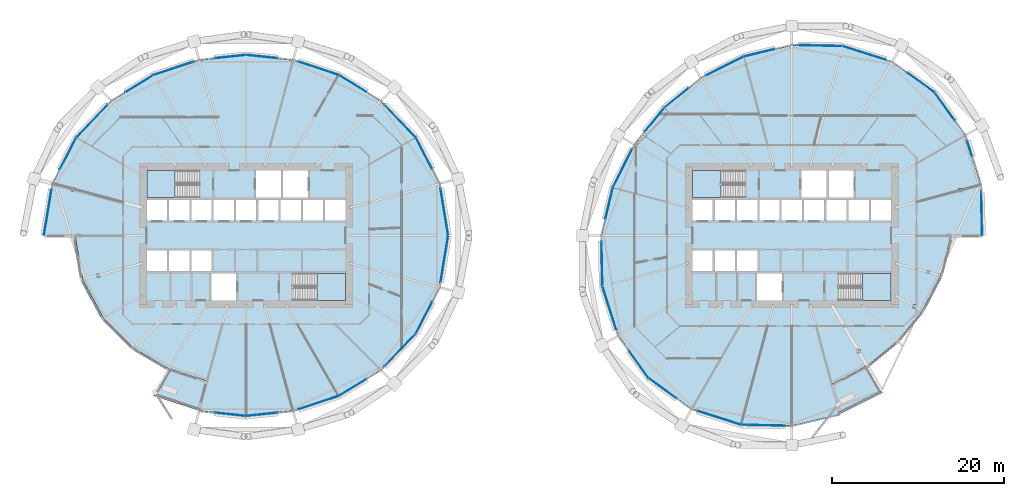
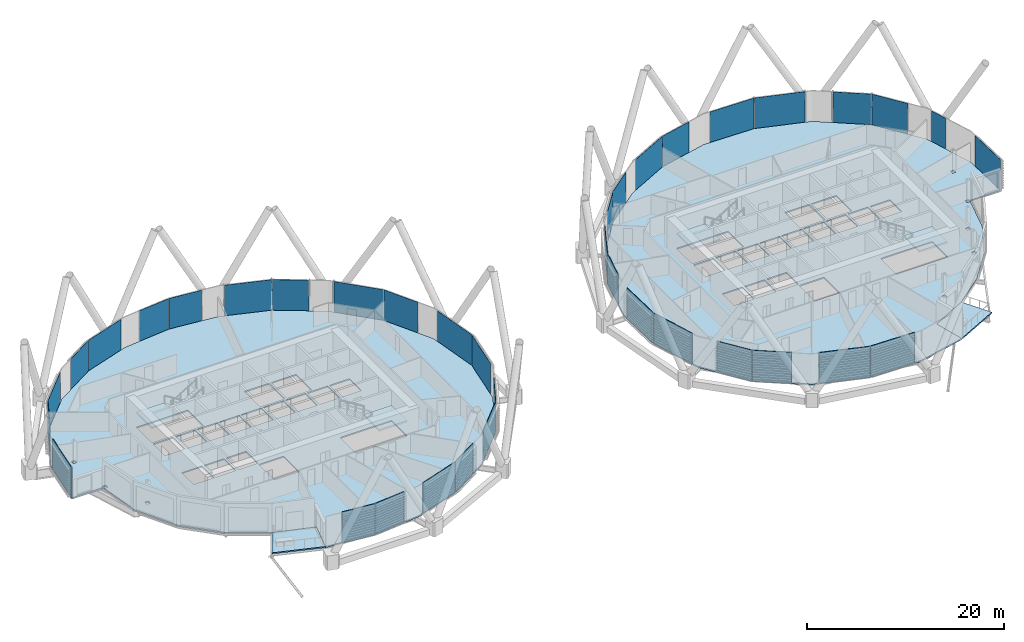
# One storey, part 19 of 36: 37 plates, 8 slabs, 6 elements without a shape of their own.
"""IFC4 building model written with IfcOpenShell, lengths in metres."""

from ifc_helpers import new_model, si_unit, direction, frame, origin, origin_2d, place, context, subcontext, project, spatial, polyline, rectangle, outline, extrude, material, layer, layer_set, type_object, element, aggregate, save


model = new_model("IFC4")

# Units and contexts
model_context = context("Model", 3, precision=1e-05, world=origin(), true_north=direction((0.0, 1.0)))
body_context = subcontext(model_context, "Body", "Model", "MODEL_VIEW")
ifc_project = project(units=[si_unit("LENGTHUNIT", "METRE"), si_unit("AREAUNIT", "SQUARE_METRE"), si_unit("VOLUMEUNIT", "CUBIC_METRE"), si_unit("PLANEANGLEUNIT", "RADIAN"), si_unit("MASSUNIT", "GRAM", prefix="KILO")], contexts=[model_context])

# Site, building, storey
site_placement = place(None, origin())
site = spatial("IfcSite", under=ifc_project, at=site_placement, CompositionType="ELEMENT")
building_placement = place(site_placement, origin())
building = spatial("IfcBuilding", under=site, at=building_placement, Name="Rimbun Link Towers", CompositionType="ELEMENT")
storey_placement = place(building_placement, frame((0.0, 0.0, 64.199951171875)))
storey = spatial("IfcBuildingStorey", under=building, at=storey_placement, Name="L15", CompositionType="ELEMENT", Elevation=64.199951171875)

# Slabs
ifc_material_1 = material(Name="Concrete C35/45", Category="concrete")
ifc_layer_1 = layer(ifc_material_1, 0.159912109375)
ifc_layer_set_1 = layer_set([ifc_layer_1], Name="COMPOSITE FLOOR 160")
slab_type_1 = type_object("IfcSlabType", Name="COMPOSITE FLOOR 160", PredefinedType="FLOOR", material=ifc_layer_set_1)
slab_1_placement = place(storey_placement, frame((0.0, 0.0, -0.159912109375)))
element("IfcSlab", 1, at=slab_1_placement, inside=storey, type_object=slab_type_1, Name="Floor slab T1 L15", PredefinedType="FLOOR", context=body_context, shape_type="SweptSolid", body=[
    extrude(outline(polyline([(-54.252685546875, 6.029541015625), (-51.47900390625, 11.390380859375), (-47.397705078125, 15.647705078125), (-42.514892578125, 18.6455078125), (-37.216552734375, 20.4013671875), (-31.75, 20.97705078125), (-26.283447265625, 20.4013671875), (-20.985107421875, 18.6455078125), (-16.102294921875, 15.647705078125), (-12.02099609375, 11.390380859375), (-9.247314453125, 6.029541015625), (-8.255615234375, 0.0), (-9.247314453125, -6.029541015625), (-12.02099609375, -11.390380859375), (-16.102294921875, -15.647705078125), (-20.985107421875, -18.6455078125), (-26.283447265625, -20.4013671875), (-31.75, -20.97705078125), (-37.216552734375, -20.4013671875), (-36.284912109375, -16.924072265625), (-40.715087890625, -15.52783203125), (-44.85205078125, -13.10205078125), (-48.361083984375, -9.590576171875), (-50.775390625, -5.097900390625), (-51.644287109375, 0.0), (-55.244384765625, 0.0), (-54.252685546875, 6.029541015625)]), holes=[polyline([(-48.775390625, -4.812255859375), (-48.775390625, -4.418701171875), (-49.17431640625, -4.418701171875), (-49.17431640625, -4.812255859375), (-48.775390625, -4.812255859375)]), polyline([(-40.95556640625, -4.14990234375), (-40.95556640625, -1.75), (-43.300048828125, -1.75), (-43.300048828125, -4.14990234375), (-40.95556640625, -4.14990234375)]), polyline([(-38.361083984375, -4.14990234375), (-38.361083984375, -1.75), (-40.70556640625, -1.75), (-40.70556640625, -4.14990234375), (-38.361083984375, -4.14990234375)]), polyline([(-38.111083984375, -4.14990234375), (-35.7666015625, -4.14990234375), (-35.7666015625, -1.75), (-38.111083984375, -1.75), (-38.111083984375, -4.14990234375)]), polyline([(-51.50341796875, -0.19677734375), (-51.104248046875, -0.19677734375), (-51.104248046875, 0.19677734375), (-51.50341796875, 0.19677734375), (-51.50341796875, -0.19677734375)]), polyline([(-40.95556640625, 1.75), (-40.95556640625, 4.14990234375), (-43.300048828125, 4.14990234375), (-43.300048828125, 1.75), (-40.95556640625, 1.75)]), polyline([(-38.361083984375, 1.75), (-38.361083984375, 4.14990234375), (-40.70556640625, 4.14990234375), (-40.70556640625, 1.75), (-38.361083984375, 1.75)]), polyline([(-35.7666015625, 1.75), (-35.7666015625, 4.14990234375), (-38.111083984375, 4.14990234375), (-38.111083984375, 1.75), (-35.7666015625, 1.75)]), polyline([(-52.065185546875, 5.193115234375), (-51.666259765625, 5.193115234375), (-51.666259765625, 5.5869140625), (-52.065185546875, 5.5869140625), (-52.065185546875, 5.193115234375)]), polyline([(-43.300048828125, 4.39990234375), (-37.260009765625, 4.39990234375), (-37.260009765625, 7.550048828125), (-43.300048828125, 7.550048828125), (-43.300048828125, 4.39990234375)]), polyline([(-32.89990234375, -7.550048828125), (-32.89990234375, -4.39990234375), (-35.800048828125, -4.39990234375), (-35.800048828125, -7.550048828125), (-32.89990234375, -7.550048828125)]), polyline([(-20.199951171875, -7.550048828125), (-20.199951171875, -4.39990234375), (-26.239990234375, -4.39990234375), (-26.239990234375, -7.550048828125), (-20.199951171875, -7.550048828125)]), polyline([(-33.172119140625, 1.75), (-33.172119140625, 4.14990234375), (-35.5166015625, 4.14990234375), (-35.5166015625, 1.75), (-33.172119140625, 1.75)]), polyline([(-32.922119140625, 1.75), (-30.577880859375, 1.75), (-30.577880859375, 4.14990234375), (-32.922119140625, 4.14990234375), (-32.922119140625, 1.75)]), polyline([(-30.327880859375, 1.75), (-27.9833984375, 1.75), (-27.9833984375, 4.14990234375), (-30.327880859375, 4.14990234375), (-30.327880859375, 1.75)]), polyline([(-25.388916015625, 1.75), (-25.388916015625, 4.14990234375), (-27.7333984375, 4.14990234375), (-27.7333984375, 1.75), (-25.388916015625, 1.75)]), polyline([(-22.79443359375, 1.75), (-22.79443359375, 4.14990234375), (-25.138916015625, 4.14990234375), (-25.138916015625, 1.75), (-22.79443359375, 1.75)]), polyline([(-20.199951171875, 1.75), (-20.199951171875, 4.14990234375), (-22.54443359375, 4.14990234375), (-22.54443359375, 1.75), (-20.199951171875, 1.75)]), polyline([(-30.60009765625, 4.39990234375), (-27.699951171875, 4.39990234375), (-27.699951171875, 7.550048828125), (-30.60009765625, 7.550048828125), (-30.60009765625, 4.39990234375)]), polyline([(-27.449951171875, 4.39990234375), (-24.550048828125, 4.39990234375), (-24.550048828125, 7.550048828125), (-27.449951171875, 7.550048828125), (-27.449951171875, 4.39990234375)])]), origin(), (0.0, 0.0, 1.0), 0.159912109375),
])
slab_2_placement = place(storey_placement, frame((0.0, 0.0, -0.159912109375)))
element("IfcSlab", 2, at=slab_2_placement, inside=storey, type_object=slab_type_1, Name="Floor slab T2 L15", PredefinedType="FLOOR", context=body_context, shape_type="SweptSolid", body=[
    extrude(outline(polyline([(31.75, -22.12890625), (25.853759765625, -22.0048828125), (20.101806640625, -20.175537109375), (15.136962890625, -16.613037109375), (11.574462890625, -11.648193359375), (9.7451171875, -5.896240234375), (9.62109375, 0.0), (10.95361328125, 5.572509765625), (13.458740234375, 10.560546875), (16.9169921875, 14.8330078125), (21.189453125, 18.291259765625), (26.177490234375, 20.79638671875), (31.75, 22.12890625), (37.646240234375, 22.0048828125), (43.398193359375, 20.175537109375), (48.363037109375, 16.613037109375), (51.925537109375, 11.648193359375), (53.7548828125, 5.896240234375), (53.87890625, 0.0), (50.279052734375, 0.0), (49.069091796875, -4.640625), (46.923583984375, -8.760498046875), (44.037353515625, -12.287353515625), (40.510498046875, -15.173583984375), (36.390625, -17.319091796875), (37.322509765625, -20.79638671875), (31.75, -22.12890625)]), holes=[polyline([(30.60009765625, -7.550048828125), (30.60009765625, -4.39990234375), (27.699951171875, -4.39990234375), (27.699951171875, -7.550048828125), (30.60009765625, -7.550048828125)]), polyline([(22.54443359375, -4.14990234375), (22.54443359375, -1.75), (20.199951171875, -1.75), (20.199951171875, -4.14990234375), (22.54443359375, -4.14990234375)]), polyline([(25.138916015625, -4.14990234375), (25.138916015625, -1.75), (22.79443359375, -1.75), (22.79443359375, -4.14990234375), (25.138916015625, -4.14990234375)]), polyline([(25.388916015625, -4.14990234375), (27.7333984375, -4.14990234375), (27.7333984375, -1.75), (25.388916015625, -1.75), (25.388916015625, -4.14990234375)]), polyline([(20.199951171875, 1.75), (22.54443359375, 1.75), (22.54443359375, 4.14990234375), (20.199951171875, 4.14990234375), (20.199951171875, 1.75)]), polyline([(25.138916015625, 1.75), (25.138916015625, 4.14990234375), (22.79443359375, 4.14990234375), (22.79443359375, 1.75), (25.138916015625, 1.75)]), polyline([(25.388916015625, 1.75), (27.7333984375, 1.75), (27.7333984375, 4.14990234375), (25.388916015625, 4.14990234375), (25.388916015625, 1.75)]), polyline([(27.9833984375, 1.75), (30.327880859375, 1.75), (30.327880859375, 4.14990234375), (27.9833984375, 4.14990234375), (27.9833984375, 1.75)]), polyline([(32.922119140625, 1.75), (32.922119140625, 4.14990234375), (30.577880859375, 4.14990234375), (30.577880859375, 1.75), (32.922119140625, 1.75)]), polyline([(33.172119140625, 1.75), (35.5166015625, 1.75), (35.5166015625, 4.14990234375), (33.172119140625, 4.14990234375), (33.172119140625, 1.75)]), polyline([(20.199951171875, 4.39990234375), (26.239990234375, 4.39990234375), (26.239990234375, 7.550048828125), (20.199951171875, 7.550048828125), (20.199951171875, 4.39990234375)]), polyline([(39.718994140625, -13.65380859375), (39.718994140625, -13.260009765625), (39.31982421875, -13.260009765625), (39.31982421875, -13.65380859375), (39.718994140625, -13.65380859375)]), polyline([(46.206298828125, -8.427978515625), (46.206298828125, -8.034423828125), (45.807373046875, -8.034423828125), (45.807373046875, -8.427978515625), (46.206298828125, -8.427978515625)]), polyline([(43.300048828125, -7.550048828125), (43.300048828125, -4.39990234375), (37.260009765625, -4.39990234375), (37.260009765625, -7.550048828125), (43.300048828125, -7.550048828125)]), polyline([(47.410400390625, -4.446533203125), (47.8095703125, -4.446533203125), (47.8095703125, -4.052978515625), (47.410400390625, -4.052978515625), (47.410400390625, -4.446533203125)]), polyline([(49.82666015625, -0.19677734375), (50.2255859375, -0.19677734375), (50.2255859375, 0.19677734375), (49.82666015625, 0.19677734375), (49.82666015625, -0.19677734375)]), polyline([(38.111083984375, 1.75), (38.111083984375, 4.14990234375), (35.7666015625, 4.14990234375), (35.7666015625, 1.75), (38.111083984375, 1.75)]), polyline([(38.361083984375, 1.75), (40.70556640625, 1.75), (40.70556640625, 4.14990234375), (38.361083984375, 4.14990234375), (38.361083984375, 1.75)]), polyline([(40.95556640625, 1.75), (43.300048828125, 1.75), (43.300048828125, 4.14990234375), (40.95556640625, 4.14990234375), (40.95556640625, 1.75)]), polyline([(51.56591796875, 5.059326171875), (51.56591796875, 5.452880859375), (51.166748046875, 5.452880859375), (51.166748046875, 5.059326171875), (51.56591796875, 5.059326171875)]), polyline([(32.89990234375, 4.39990234375), (35.800048828125, 4.39990234375), (35.800048828125, 7.550048828125), (32.89990234375, 7.550048828125), (32.89990234375, 4.39990234375)]), polyline([(36.050048828125, 4.39990234375), (38.949951171875, 4.39990234375), (38.949951171875, 7.550048828125), (36.050048828125, 7.550048828125), (36.050048828125, 4.39990234375)])]), origin(), (0.0, 0.0, 1.0), 0.159912109375),
])

# Curtain wall, plates
ifc_material_2 = material(Name="Aluminium 6063-T6 and low-iron glass", Category="aluminium")
curtain_wall_type = type_object("IfcCurtainWallType", Name="CW1 unitised vision wall", PredefinedType="NOTDEFINED", material=ifc_material_2)
curtain_wall_1_placement = place(storey_placement, origin())
curtain_wall_1 = element("IfcCurtainWall", 3, at=curtain_wall_1_placement, inside=storey, type_object=curtain_wall_type, Name="CW1 L15 T1", PredefinedType="NOTDEFINED")
ifc_material_3 = material(Name="Low-iron glass, laminated low-e unit", Category="glass")
ifc_layer_2 = layer(ifc_material_3, 0.028076171875)
ifc_layer_set_2 = layer_set([ifc_layer_2], Name="CW1 panel Low-iron glass 28")
plate_type = type_object("IfcPlateType", Name="CW1 panel Low-iron glass 28", PredefinedType="CURTAIN_PANEL", material=ifc_layer_set_2)
plate_1_placement = place(storey_placement, frame((-8.68896484375, 2.720947265625, 0.0), z_axis=(0.0, 0.0, 1.0), x_axis=(0.162259642251, -0.986748097792, 0.0)))
plate_1 = element("IfcPlate", 4, at=plate_1_placement, type_object=plate_type, Name="CW1 panel", PredefinedType="CURTAIN_PANEL", context=body_context, shape_type="SweptSolid", body=[
    extrude(rectangle(XDim=5.470458984375, YDim=0.028076171875, at=origin_2d()), origin(), (0.0, 0.0, 1.0), 3.800048828125),
])
plate_2_placement = place(storey_placement, frame((-11.058349609375, 9.560302734375, 0.0), z_axis=(0.0, 0.0, 1.0), x_axis=(0.45955632125, -0.888148629228, 0.0)))
plate_2 = element("IfcPlate", 5, at=plate_2_placement, type_object=plate_type, Name="CW1 panel", PredefinedType="CURTAIN_PANEL", context=body_context, shape_type="SweptSolid", body=[
    extrude(rectangle(XDim=4.095947265625, YDim=0.028076171875, at=origin_2d()), origin(), (0.0, 0.0, 1.0), 3.800048828125),
])
plate_3_placement = place(storey_placement, frame((-13.843994140625, 13.312255859375, 0.0), z_axis=(0.0, 0.0, 1.0), x_axis=(0.692044930546, -0.721854427226, 0.0)))
plate_3 = element("IfcPlate", 6, at=plate_3_placement, type_object=plate_type, Name="CW1 panel", PredefinedType="CURTAIN_PANEL", context=body_context, shape_type="SweptSolid", body=[
    extrude(rectangle(XDim=5.257568359375, YDim=0.028076171875, at=origin_2d()), origin(), (0.0, 0.0, 1.0), 3.800048828125),
])
plate_4_placement = place(storey_placement, frame((-19.345947265625, 17.655517578125, 0.0), z_axis=(0.0, 0.0, 1.0), x_axis=(0.852185835011, -0.523239240316, 0.0)))
plate_4 = element("IfcPlate", 7, at=plate_4_placement, type_object=plate_type, Name="CW1 panel", PredefinedType="CURTAIN_PANEL", context=body_context, shape_type="SweptSolid", body=[
    extrude(rectangle(XDim=3.78955078125, YDim=0.028076171875, at=origin_2d()), origin(), (0.0, 0.0, 1.0), 3.800048828125),
])
plate_5_placement = place(storey_placement, frame((-23.344970703125, 19.4423828125, 0.0), z_axis=(0.0, 0.0, 1.0), x_axis=(0.949238989505, -0.314555783293, 0.0)))
plate_5 = element("IfcPlate", 8, at=plate_5_placement, type_object=plate_type, Name="CW1 panel", PredefinedType="CURTAIN_PANEL", context=body_context, shape_type="SweptSolid", body=[
    extrude(rectangle(XDim=4.94189453125, YDim=0.028076171875, at=origin_2d()), origin(), (0.0, 0.0, 1.0), 3.800048828125),
])
plate_6_placement = place(storey_placement, frame((-29.910400390625, 20.79736328125, 0.0), z_axis=(0.0, 0.0, 1.0), x_axis=(0.994500168315, -0.104734976112, 0.0)))
plate_6 = element("IfcPlate", 9, at=plate_6_placement, type_object=plate_type, Name="CW1 panel", PredefinedType="CURTAIN_PANEL", context=body_context, shape_type="SweptSolid", body=[
    extrude(rectangle(XDim=3.65673828125, YDim=0.028076171875, at=origin_2d()), origin(), (0.0, 0.0, 1.0), 3.800048828125),
])
plate_7_placement = place(storey_placement, frame((-33.589599609375, 20.79736328125, 0.0), z_axis=(0.0, 0.0, 1.0), x_axis=(0.994500168315, 0.104734976112, 0.0)))
plate_7 = element("IfcPlate", 10, at=plate_7_placement, type_object=plate_type, Name="CW1 panel", PredefinedType="CURTAIN_PANEL", context=body_context, shape_type="SweptSolid", body=[
    extrude(rectangle(XDim=3.65673828125, YDim=0.028076171875, at=origin_2d()), origin(), (0.0, 0.0, 1.0), 3.800048828125),
])
plate_8_placement = place(storey_placement, frame((-40.155029296875, 19.4423828125, 0.0), z_axis=(0.0, 0.0, 1.0), x_axis=(0.949238989505, 0.314555783293, 0.0)))
plate_8 = element("IfcPlate", 11, at=plate_8_placement, type_object=plate_type, Name="CW1 panel", PredefinedType="CURTAIN_PANEL", context=body_context, shape_type="SweptSolid", body=[
    extrude(rectangle(XDim=4.94189453125, YDim=0.028076171875, at=origin_2d()), origin(), (0.0, 0.0, 1.0), 3.800048828125),
])
plate_9_placement = place(storey_placement, frame((-44.154052734375, 17.655517578125, 0.0), z_axis=(0.0, 0.0, 1.0), x_axis=(0.852185835011, 0.523239240316, 0.0)))
plate_9 = element("IfcPlate", 12, at=plate_9_placement, type_object=plate_type, Name="CW1 panel", PredefinedType="CURTAIN_PANEL", context=body_context, shape_type="SweptSolid", body=[
    extrude(rectangle(XDim=3.78955078125, YDim=0.028076171875, at=origin_2d()), origin(), (0.0, 0.0, 1.0), 3.800048828125),
])
plate_10_placement = place(storey_placement, frame((-49.656005859375, 13.312255859375, 0.0), z_axis=(0.0, 0.0, 1.0), x_axis=(0.692044930546, 0.721854427226, 0.0)))
plate_10 = element("IfcPlate", 13, at=plate_10_placement, type_object=plate_type, Name="CW1 panel", PredefinedType="CURTAIN_PANEL", context=body_context, shape_type="SweptSolid", body=[
    extrude(rectangle(XDim=5.257568359375, YDim=0.028076171875, at=origin_2d()), origin(), (0.0, 0.0, 1.0), 3.800048828125),
])
plate_11_placement = place(storey_placement, frame((-52.453125, 9.5380859375, 0.0), z_axis=(0.0, 0.0, 1.0), x_axis=(0.45955632125, 0.888148629228, 0.0)))
plate_11 = element("IfcPlate", 14, at=plate_11_placement, type_object=plate_type, Name="CW1 panel", PredefinedType="CURTAIN_PANEL", context=body_context, shape_type="SweptSolid", body=[
    extrude(rectangle(XDim=4.14599609375, YDim=0.028076171875, at=origin_2d()), origin(), (0.0, 0.0, 1.0), 3.800048828125),
])
plate_12_placement = place(storey_placement, frame((-54.815185546875, 2.6962890625, 0.0), z_axis=(0.0, 0.0, 1.0), x_axis=(0.162259642251, 0.986748097792, 0.0)))
plate_12 = element("IfcPlate", 15, at=plate_12_placement, type_object=plate_type, Name="CW1 panel", PredefinedType="CURTAIN_PANEL", context=body_context, shape_type="SweptSolid", body=[
    extrude(rectangle(XDim=5.420654296875, YDim=0.028076171875, at=origin_2d()), origin(), (0.0, 0.0, 1.0), 3.800048828125),
])
plate_13_placement = place(storey_placement, frame((-33.589599609375, -20.79736328125, 0.0), z_axis=(0.0, 0.0, 1.0), x_axis=(-0.994500168315, 0.104734976112, 0.0)))
plate_13 = element("IfcPlate", 16, at=plate_13_placement, type_object=plate_type, Name="CW1 panel", PredefinedType="CURTAIN_PANEL", context=body_context, shape_type="SweptSolid", body=[
    extrude(rectangle(XDim=3.65673828125, YDim=0.028076171875, at=origin_2d()), origin(), (0.0, 0.0, 1.0), 3.800048828125),
])
plate_14_placement = place(storey_placement, frame((-29.910400390625, -20.79736328125, 0.0), z_axis=(0.0, 0.0, 1.0), x_axis=(-0.994500168315, -0.104734976112, 0.0)))
plate_14 = element("IfcPlate", 17, at=plate_14_placement, type_object=plate_type, Name="CW1 panel", PredefinedType="CURTAIN_PANEL", context=body_context, shape_type="SweptSolid", body=[
    extrude(rectangle(XDim=3.65673828125, YDim=0.028076171875, at=origin_2d()), origin(), (0.0, 0.0, 1.0), 3.800048828125),
])
plate_15_placement = place(storey_placement, frame((-23.344970703125, -19.4423828125, 0.0), z_axis=(0.0, 0.0, 1.0), x_axis=(-0.949238989505, -0.314555783293, 0.0)))
plate_15 = element("IfcPlate", 18, at=plate_15_placement, type_object=plate_type, Name="CW1 panel", PredefinedType="CURTAIN_PANEL", context=body_context, shape_type="SweptSolid", body=[
    extrude(rectangle(XDim=4.94189453125, YDim=0.028076171875, at=origin_2d()), origin(), (0.0, 0.0, 1.0), 3.800048828125),
])
plate_16_placement = place(storey_placement, frame((-19.345947265625, -17.655517578125, 0.0), z_axis=(0.0, 0.0, 1.0), x_axis=(-0.852185835011, -0.523239240316, 0.0)))
plate_16 = element("IfcPlate", 19, at=plate_16_placement, type_object=plate_type, Name="CW1 panel", PredefinedType="CURTAIN_PANEL", context=body_context, shape_type="SweptSolid", body=[
    extrude(rectangle(XDim=3.78955078125, YDim=0.028076171875, at=origin_2d()), origin(), (0.0, 0.0, 1.0), 3.800048828125),
])
plate_17_placement = place(storey_placement, frame((-13.843994140625, -13.312255859375, 0.0), z_axis=(0.0, 0.0, 1.0), x_axis=(-0.692044930546, -0.721854427226, 0.0)))
plate_17 = element("IfcPlate", 20, at=plate_17_placement, type_object=plate_type, Name="CW1 panel", PredefinedType="CURTAIN_PANEL", context=body_context, shape_type="SweptSolid", body=[
    extrude(rectangle(XDim=5.257568359375, YDim=0.028076171875, at=origin_2d()), origin(), (0.0, 0.0, 1.0), 3.800048828125),
])
plate_18_placement = place(storey_placement, frame((-11.058349609375, -9.560302734375, 0.0), z_axis=(0.0, 0.0, 1.0), x_axis=(-0.45955632125, -0.888148629228, 0.0)))
plate_18 = element("IfcPlate", 21, at=plate_18_placement, type_object=plate_type, Name="CW1 panel", PredefinedType="CURTAIN_PANEL", context=body_context, shape_type="SweptSolid", body=[
    extrude(rectangle(XDim=4.095947265625, YDim=0.028076171875, at=origin_2d()), origin(), (0.0, 0.0, 1.0), 3.800048828125),
])
plate_19_placement = place(storey_placement, frame((-8.68896484375, -2.720947265625, 0.0), z_axis=(0.0, 0.0, 1.0), x_axis=(-0.162259642251, -0.986748097792, 0.0)))
plate_19 = element("IfcPlate", 22, at=plate_19_placement, type_object=plate_type, Name="CW1 panel", PredefinedType="CURTAIN_PANEL", context=body_context, shape_type="SweptSolid", body=[
    extrude(rectangle(XDim=5.470458984375, YDim=0.028076171875, at=origin_2d()), origin(), (0.0, 0.0, 1.0), 3.800048828125),
])
aggregate(curtain_wall_1, [plate_1, plate_2, plate_3, plate_4, plate_5, plate_6, plate_7, plate_8, plate_9, plate_10, plate_11, plate_12, plate_13, plate_14, plate_15, plate_16, plate_17, plate_18, plate_19])

curtain_wall_2_placement = place(storey_placement, origin())
curtain_wall_2 = element("IfcCurtainWall", 23, at=curtain_wall_2_placement, inside=storey, type_object=curtain_wall_type, Name="CW1 L15 T2", PredefinedType="NOTDEFINED")
plate_20_placement = place(storey_placement, frame((46.741943359375, 17.79345703125, 0.0), z_axis=(0.0, 0.0, 1.0), x_axis=(0.812471013588, -0.583001588402, 0.0)))
plate_20 = element("IfcPlate", 24, at=plate_20_placement, type_object=plate_type, Name="CW1 panel", PredefinedType="CURTAIN_PANEL", context=body_context, shape_type="SweptSolid", body=[
    extrude(rectangle(XDim=3.970703125, YDim=0.028076171875, at=origin_2d()), origin(), (0.0, 0.0, 1.0), 3.800048828125),
])
plate_21_placement = place(storey_placement, frame((40.19287109375, 21.20947265625, 0.0), z_axis=(0.0, 0.0, 1.0), x_axis=(0.952969504125, -0.30306620433, 0.0)))
plate_21 = element("IfcPlate", 25, at=plate_21_placement, type_object=plate_type, Name="CW1 panel", PredefinedType="CURTAIN_PANEL", context=body_context, shape_type="SweptSolid", body=[
    extrude(rectangle(XDim=5.2958984375, YDim=0.028076171875, at=origin_2d()), origin(), (0.0, 0.0, 1.0), 3.800048828125),
])
plate_22_placement = place(storey_placement, frame((35.0732421875, 22.072998046875, 0.0), z_axis=(0.0, 0.0, 1.0), x_axis=(0.999778219026, -0.021059742681, 0.0)))
plate_22 = element("IfcPlate", 26, at=plate_22_placement, type_object=plate_type, Name="CW1 panel", PredefinedType="CURTAIN_PANEL", context=body_context, shape_type="SweptSolid", body=[
    extrude(rectangle(XDim=5.107421875, YDim=0.028076171875, at=origin_2d()), origin(), (0.0, 0.0, 1.0), 3.800048828125),
])
plate_23_placement = place(storey_placement, frame((27.988037109375, 21.24365234375, 0.0), z_axis=(0.0, 0.0, 1.0), x_axis=(0.972572197016, 0.232601207201, 0.0)))
plate_23 = element("IfcPlate", 27, at=plate_23_placement, type_object=plate_type, Name="CW1 panel", PredefinedType="CURTAIN_PANEL", context=body_context, shape_type="SweptSolid", body=[
    extrude(rectangle(XDim=3.689453125, YDim=0.028076171875, at=origin_2d()), origin(), (0.0, 0.0, 1.0), 3.800048828125),
])
plate_24_placement = place(storey_placement, frame((23.9453125, 19.69091796875, 0.0), z_axis=(0.0, 0.0, 1.0), x_axis=(0.893641116942, 0.448782301468, 0.0)))
plate_24 = element("IfcPlate", 28, at=plate_24_placement, type_object=plate_type, Name="CW1 panel", PredefinedType="CURTAIN_PANEL", context=body_context, shape_type="SweptSolid", body=[
    extrude(rectangle(XDim=4.941650390625, YDim=0.028076171875, at=origin_2d()), origin(), (0.0, 0.0, 1.0), 3.800048828125),
])
plate_25_placement = place(storey_placement, frame((18.325439453125, 15.990966796875, 0.0), z_axis=(0.0, 0.0, 1.0), x_axis=(0.777279609946, 0.629155313069, 0.0)))
plate_25 = element("IfcPlate", 29, at=plate_25_placement, type_object=plate_type, Name="CW1 panel", PredefinedType="CURTAIN_PANEL", context=body_context, shape_type="SweptSolid", body=[
    extrude(rectangle(XDim=3.606689453125, YDim=0.028076171875, at=origin_2d()), origin(), (0.0, 0.0, 1.0), 3.800048828125),
])
plate_26_placement = place(storey_placement, frame((15.774658203125, 13.444091796875, 0.0), z_axis=(0.0, 0.0, 1.0), x_axis=(0.629155313069, 0.777279609946, 0.0)))
plate_26 = element("IfcPlate", 30, at=plate_26_placement, type_object=plate_type, Name="CW1 panel", PredefinedType="CURTAIN_PANEL", context=body_context, shape_type="SweptSolid", body=[
    extrude(rectangle(XDim=3.556640625, YDim=0.028076171875, at=origin_2d()), origin(), (0.0, 0.0, 1.0), 3.800048828125),
])
plate_27_placement = place(storey_placement, frame((12.0703125, 7.826904296875, 0.0), z_axis=(0.0, 0.0, 1.0), x_axis=(0.448782301468, 0.893641116942, 0.0)))
plate_27 = element("IfcPlate", 31, at=plate_27_placement, type_object=plate_type, Name="CW1 panel", PredefinedType="CURTAIN_PANEL", context=body_context, shape_type="SweptSolid", body=[
    extrude(rectangle(XDim=4.99169921875, YDim=0.028076171875, at=origin_2d()), origin(), (0.0, 0.0, 1.0), 3.800048828125),
])
plate_28_placement = place(storey_placement, frame((10.50048828125, 3.73779296875, 0.0), z_axis=(0.0, 0.0, 1.0), x_axis=(0.232601207201, 0.972572197016, 0.0)))
plate_28 = element("IfcPlate", 32, at=plate_28_placement, type_object=plate_type, Name="CW1 panel", PredefinedType="CURTAIN_PANEL", context=body_context, shape_type="SweptSolid", body=[
    extrude(rectangle(XDim=3.739501953125, YDim=0.028076171875, at=origin_2d()), origin(), (0.0, 0.0, 1.0), 3.800048828125),
])
plate_29_placement = place(storey_placement, frame((9.676025390625, -3.2734375, 0.0), z_axis=(0.0, 0.0, 1.0), x_axis=(-0.021059742681, 0.999778219026, 0.0)))
plate_29 = element("IfcPlate", 33, at=plate_29_placement, type_object=plate_type, Name="CW1 panel", PredefinedType="CURTAIN_PANEL", context=body_context, shape_type="SweptSolid", body=[
    extrude(rectangle(XDim=5.20751953125, YDim=0.028076171875, at=origin_2d()), origin(), (0.0, 0.0, 1.0), 3.800048828125),
])
plate_30_placement = place(storey_placement, frame((10.54052734375, -8.44287109375, 0.0), z_axis=(0.0, 0.0, 1.0), x_axis=(-0.30306620433, 0.952969504125, 0.0)))
plate_30 = element("IfcPlate", 34, at=plate_30_placement, type_object=plate_type, Name="CW1 panel", PredefinedType="CURTAIN_PANEL", context=body_context, shape_type="SweptSolid", body=[
    extrude(rectangle(XDim=5.2958984375, YDim=0.028076171875, at=origin_2d()), origin(), (0.0, 0.0, 1.0), 3.800048828125),
])
plate_31_placement = place(storey_placement, frame((13.97119140625, -15.01220703125, 0.0), z_axis=(0.0, 0.0, 1.0), x_axis=(-0.583001588402, 0.812471013588, 0.0)))
plate_31 = element("IfcPlate", 35, at=plate_31_placement, type_object=plate_type, Name="CW1 panel", PredefinedType="CURTAIN_PANEL", context=body_context, shape_type="SweptSolid", body=[
    extrude(rectangle(XDim=3.920654296875, YDim=0.028076171875, at=origin_2d()), origin(), (0.0, 0.0, 1.0), 3.800048828125),
])
plate_32_placement = place(storey_placement, frame((16.758056640625, -17.79345703125, 0.0), z_axis=(0.0, 0.0, 1.0), x_axis=(-0.812471013588, 0.583001588402, 0.0)))
plate_32 = element("IfcPlate", 36, at=plate_32_placement, type_object=plate_type, Name="CW1 panel", PredefinedType="CURTAIN_PANEL", context=body_context, shape_type="SweptSolid", body=[
    extrude(rectangle(XDim=3.970703125, YDim=0.028076171875, at=origin_2d()), origin(), (0.0, 0.0, 1.0), 3.800048828125),
])
plate_33_placement = place(storey_placement, frame((23.30712890625, -21.20947265625, 0.0), z_axis=(0.0, 0.0, 1.0), x_axis=(-0.952969504125, 0.30306620433, 0.0)))
plate_33 = element("IfcPlate", 37, at=plate_33_placement, type_object=plate_type, Name="CW1 panel", PredefinedType="CURTAIN_PANEL", context=body_context, shape_type="SweptSolid", body=[
    extrude(rectangle(XDim=5.2958984375, YDim=0.028076171875, at=origin_2d()), origin(), (0.0, 0.0, 1.0), 3.800048828125),
])
plate_34_placement = place(storey_placement, frame((28.4267578125, -22.072998046875, 0.0), z_axis=(0.0, 0.0, 1.0), x_axis=(-0.999778219026, 0.021059742681, 0.0)))
plate_34 = element("IfcPlate", 38, at=plate_34_placement, type_object=plate_type, Name="CW1 panel", PredefinedType="CURTAIN_PANEL", context=body_context, shape_type="SweptSolid", body=[
    extrude(rectangle(XDim=5.107421875, YDim=0.028076171875, at=origin_2d()), origin(), (0.0, 0.0, 1.0), 3.800048828125),
])
plate_35_placement = place(storey_placement, frame((53.84033203125, 2.49853515625, 0.0), z_axis=(0.0, 0.0, 1.0), x_axis=(0.021059742681, -0.999778219026, 0.0)))
plate_35 = element("IfcPlate", 39, at=plate_35_placement, type_object=plate_type, Name="CW1 panel", PredefinedType="CURTAIN_PANEL", context=body_context, shape_type="SweptSolid", body=[
    extrude(rectangle(XDim=4.95751953125, YDim=0.028076171875, at=origin_2d()), origin(), (0.0, 0.0, 1.0), 3.800048828125),
])
plate_36_placement = place(storey_placement, frame((52.436767578125, 10.0869140625, 0.0), z_axis=(0.0, 0.0, 1.0), x_axis=(0.30306620433, -0.952969504125, 0.0)))
plate_36 = element("IfcPlate", 40, at=plate_36_placement, type_object=plate_type, Name="CW1 panel", PredefinedType="CURTAIN_PANEL", context=body_context, shape_type="SweptSolid", body=[
    extrude(rectangle(XDim=1.946044921875, YDim=0.028076171875, at=origin_2d()), origin(), (0.0, 0.0, 1.0), 3.800048828125),
])
plate_37_placement = place(storey_placement, frame((49.55810546875, 14.9716796875, 0.0), z_axis=(0.0, 0.0, 1.0), x_axis=(0.583001588402, -0.812471013588, 0.0)))
plate_37 = element("IfcPlate", 41, at=plate_37_placement, type_object=plate_type, Name="CW1 panel", PredefinedType="CURTAIN_PANEL", context=body_context, shape_type="SweptSolid", body=[
    extrude(rectangle(XDim=4.0205078125, YDim=0.028076171875, at=origin_2d()), origin(), (0.0, 0.0, 1.0), 3.800048828125),
])
aggregate(curtain_wall_2, [plate_20, plate_21, plate_22, plate_23, plate_24, plate_25, plate_26, plate_27, plate_28, plate_29, plate_30, plate_31, plate_32, plate_33, plate_34, plate_35, plate_36, plate_37])

# Stair, slab
ifc_material_4 = material(Name="Concrete C40/50", Category="concrete")
stair_type = type_object("IfcStairType", Name="Exit stair 3800 rise", PredefinedType="HALF_TURN_STAIR", material=ifc_material_4)
stair_1_placement = place(storey_placement, origin())
stair_1 = element("IfcStair", 42, at=stair_1_placement, inside=storey, type_object=stair_type, Name="L15 EXIT STAIR A", PredefinedType="HALF_TURN_STAIR")
ifc_material_5 = material(Name="Concrete C40/50", Category="concrete")
ifc_layer_3 = layer(ifc_material_5, 0.199951171875)
ifc_layer_set_3 = layer_set([ifc_layer_3], Name="Stair landing")
slab_type_2 = type_object("IfcSlabType", Name="Stair landing", PredefinedType="LANDING", material=ifc_layer_set_3)
slab_3_placement = place(storey_placement, frame((0.0, 0.0, 1.699951171875)))
slab_3 = element("IfcSlab", 43, at=slab_3_placement, type_object=slab_type_2, Name="ST1 landing 1", PredefinedType="LANDING", context=body_context, shape_type="SweptSolid", body=[
    extrude(outline(polyline([(-40.0, 7.550048828125), (-43.300048828125, 7.550048828125), (-43.300048828125, 4.39990234375), (-40.0, 4.39990234375), (-40.0, 7.550048828125)])), origin(), (0.0, 0.0, 1.0), 0.2001953125),
])
aggregate(stair_1, [slab_3])

stair_2_placement = place(storey_placement, origin())
stair_2 = element("IfcStair", 44, at=stair_2_placement, inside=storey, type_object=stair_type, Name="L15 EXIT STAIR B", PredefinedType="HALF_TURN_STAIR")
slab_4_placement = place(storey_placement, frame((0.0, 0.0, 1.699951171875)))
slab_4 = element("IfcSlab", 45, at=slab_4_placement, type_object=slab_type_2, Name="ST2 landing 1", PredefinedType="LANDING", context=body_context, shape_type="SweptSolid", body=[
    extrude(outline(polyline([(-23.5, -7.550048828125), (-20.199951171875, -7.550048828125), (-20.199951171875, -4.39990234375), (-23.5, -4.39990234375), (-23.5, -7.550048828125)])), origin(), (0.0, 0.0, 1.0), 0.2001953125),
])
aggregate(stair_2, [slab_4])

stair_3_placement = place(storey_placement, origin())
stair_3 = element("IfcStair", 46, at=stair_3_placement, inside=storey, type_object=stair_type, Name="L15 EXIT STAIR A", PredefinedType="HALF_TURN_STAIR")
slab_5_placement = place(storey_placement, frame((0.0, 0.0, 1.699951171875)))
slab_5 = element("IfcSlab", 47, at=slab_5_placement, type_object=slab_type_2, Name="ST3 landing 1", PredefinedType="LANDING", context=body_context, shape_type="SweptSolid", body=[
    extrude(outline(polyline([(23.5, 7.550048828125), (20.199951171875, 7.550048828125), (20.199951171875, 4.39990234375), (23.5, 4.39990234375), (23.5, 7.550048828125)])), origin(), (0.0, 0.0, 1.0), 0.2001953125),
])
aggregate(stair_3, [slab_5])

stair_4_placement = place(storey_placement, origin())
stair_4 = element("IfcStair", 48, at=stair_4_placement, inside=storey, type_object=stair_type, Name="L15 EXIT STAIR B", PredefinedType="HALF_TURN_STAIR")
slab_6_placement = place(storey_placement, frame((0.0, 0.0, 1.699951171875)))
slab_6 = element("IfcSlab", 49, at=slab_6_placement, type_object=slab_type_2, Name="ST4 landing 1", PredefinedType="LANDING", context=body_context, shape_type="SweptSolid", body=[
    extrude(outline(polyline([(40.0, -7.550048828125), (43.300048828125, -7.550048828125), (43.300048828125, -4.39990234375), (40.0, -4.39990234375), (40.0, -7.550048828125)])), origin(), (0.0, 0.0, 1.0), 0.2001953125),
])
aggregate(stair_4, [slab_6])

# Slabs
ifc_material_6 = material(Name="Concrete C35/45", Category="concrete")
ifc_layer_4 = layer(ifc_material_6, 0.159912109375)
ifc_layer_set_4 = layer_set([ifc_layer_4], Name="TERRACE SLAB 160")
slab_type_3 = type_object("IfcSlabType", Name="TERRACE SLAB 160", PredefinedType="FLOOR", material=ifc_layer_set_4)
slab_7_placement = place(storey_placement, frame((0.0, 0.0, -0.159912109375)))
element("IfcSlab", 50, at=slab_7_placement, inside=storey, type_object=slab_type_3, Name="Terrace slab T1 L15", PredefinedType="FLOOR", context=body_context, shape_type="SweptSolid", body=[
    extrude(outline(polyline([(-40.715087890625, -15.52783203125), (-36.284912109375, -16.924072265625), (-37.216552734375, -20.4013671875), (-42.514892578125, -18.6455078125), (-40.715087890625, -15.52783203125)])), origin(), (0.0, 0.0, 1.0), 0.159912109375),
])
slab_8_placement = place(storey_placement, frame((0.0, 0.0, -0.159912109375)))
element("IfcSlab", 51, at=slab_8_placement, inside=storey, type_object=slab_type_3, Name="Terrace slab T2 L15", PredefinedType="FLOOR", context=body_context, shape_type="SweptSolid", body=[
    extrude(outline(polyline([(36.390625, -17.319091796875), (40.510498046875, -15.173583984375), (42.310546875, -18.291259765625), (37.322509765625, -20.79638671875), (36.390625, -17.319091796875)])), origin(), (0.0, 0.0, 1.0), 0.159912109375),
])

save(model, "model.ifc")
